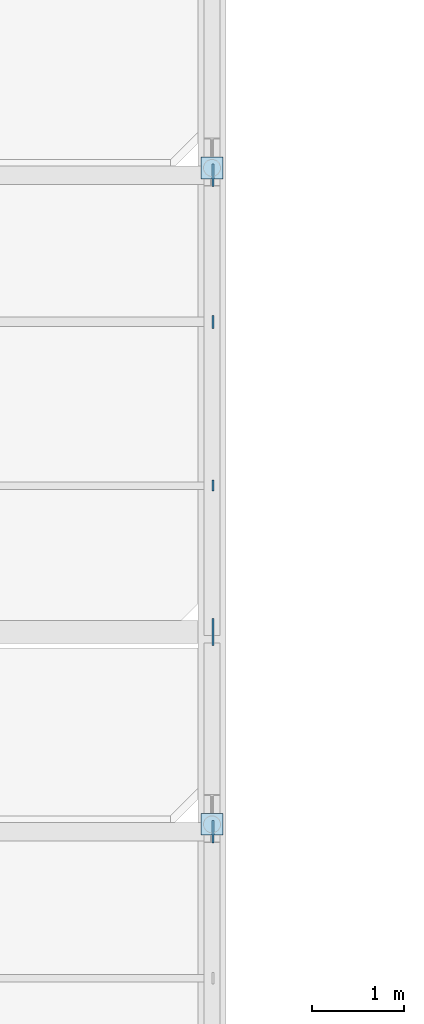
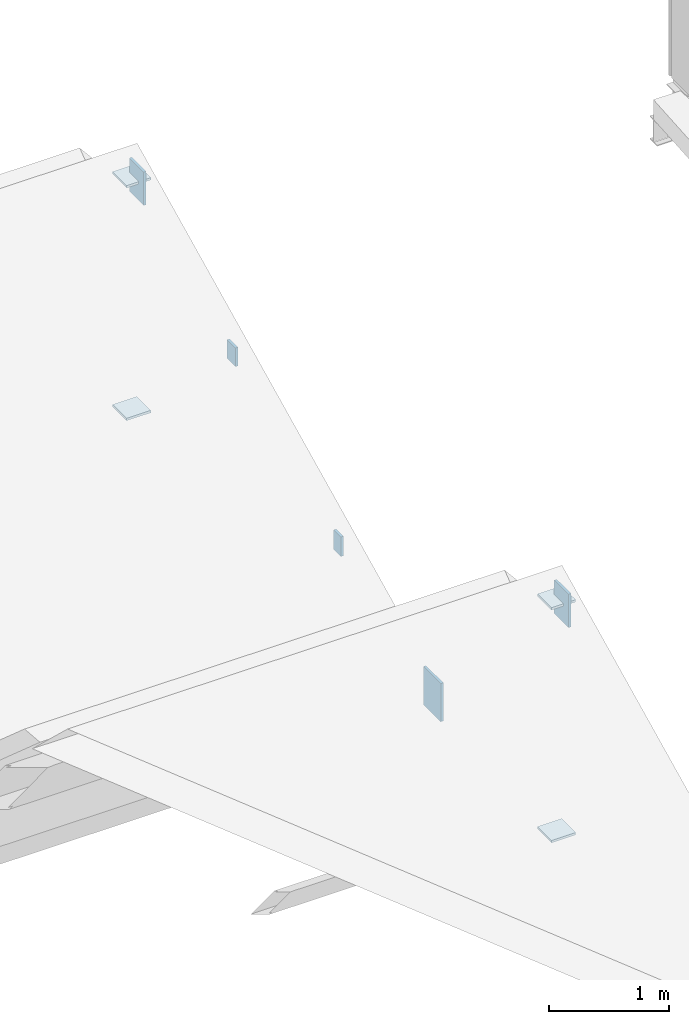
# One storey, part 112 of 138: 9 plates.
"""IFC4 building model written with IfcOpenShell, lengths in metres."""

from ifc_helpers import new_model, si_unit, direction, frame, origin, origin_2d, place, context, subcontext, project, spatial, rectangle, extrude, material, material_profile, profile_set, type_object, element, save


model = new_model("IFC4")

# Units and contexts
model_context = context("Model", 3, precision=1e-05, world=origin(), true_north=direction((0.0, 1.0)))
body_context = subcontext(model_context, "Body", "Model", "MODEL_VIEW")
ifc_project = project(units=[si_unit("LENGTHUNIT", "METRE"), si_unit("AREAUNIT", "SQUARE_METRE"), si_unit("VOLUMEUNIT", "CUBIC_METRE"), si_unit("PLANEANGLEUNIT", "RADIAN"), si_unit("MASSUNIT", "GRAM", prefix="KILO")], contexts=[model_context])

# Site, building, storey
site_placement = place(None, origin())
site = spatial("IfcSite", under=ifc_project, at=site_placement, CompositionType="ELEMENT")
building_placement = place(site_placement, origin())
building = spatial("IfcBuilding", under=site, at=building_placement, Name="Vinh Khe Railworks Police Headquarters", CompositionType="ELEMENT")
storey_placement = place(building_placement, frame((0.0, 0.0, 9.0)))
storey = spatial("IfcBuildingStorey", under=building, at=storey_placement, Name="L02", CompositionType="ELEMENT", Elevation=9.0)

# Plates
ifc_material = material(Name="Steel S355JR", Category="steel")
ifc_material_profile_1 = material_profile(ifc_material, rectangle(XDim=0.1201171875, YDim=0.199951171875, at=origin_2d()), Name="PL 120x200")
ifc_profile_set_1 = profile_set([ifc_material_profile_1], Name="Steel S355JR")
plate_type_1 = type_object("IfcPlateType", Name="Steel End-Cap Plate 120x200x24", PredefinedType="SHEET", material=ifc_profile_set_1)
plate_1_placement = place(storey_placement, frame((71.39990234375, 160.96435546875, 0.89794921875), z_axis=(1.0, 0.0, 0.0), x_axis=(0.0, 1.0, 0.0)))
element("IfcPlate", 1, at=plate_1_placement, inside=storey, type_object=plate_type_1, Name="End-Cap Gusset Plate PLT-EP-0684", PredefinedType="SHEET", context=body_context, shape_type="SweptSolid", body=[
    extrude(rectangle(XDim=0.1201171875, YDim=0.199951171875, at=origin_2d()), origin(), (0.0, 0.0, 1.0), 0.024169921875),
])
ifc_material_profile_2 = material_profile(ifc_material, rectangle(XDim=0.139892578125, YDim=0.18994140625, at=origin_2d()), Name="PL 140x190")
ifc_profile_set_2 = profile_set([ifc_material_profile_2], Name="Steel S355JR")
plate_type_2 = type_object("IfcPlateType", Name="Steel End-Cap Plate 140x190x24", PredefinedType="SHEET", material=ifc_profile_set_2)
plate_2_placement = place(storey_placement, frame((71.39990234375, 162.735595703125, 1.761962890625), z_axis=(1.0, 0.0, 0.0), x_axis=(0.0, 1.0, 0.0)))
element("IfcPlate", 2, at=plate_2_placement, inside=storey, type_object=plate_type_2, Name="End-Cap Gusset Plate PLT-EP-0685", PredefinedType="SHEET", context=body_context, shape_type="SweptSolid", body=[
    extrude(rectangle(XDim=0.139892578125, YDim=0.18994140625, at=origin_2d()), origin(), (0.0, 0.0, 1.0), 0.024169921875),
])
ifc_material_profile_3 = material_profile(ifc_material, rectangle(XDim=0.23388671875, YDim=0.23388671875, at=origin_2d()), Name="PL 234x234")
ifc_profile_set_3 = profile_set([ifc_material_profile_3], Name="Steel S355JR")
plate_type_3 = type_object("IfcPlateType", Name="Steel End-Cap Plate 234x234x24", PredefinedType="SHEET", material=ifc_profile_set_3)
for number, where, z_axis, x_axis, name in (
    (3, (71.39990234375, 157.300048828125, 0.199951171875), (0.0, 0.0, -1.0), (1.0, 0.0, 0.0), "End-Cap Gusset Plate PLT-EP-0681"),
    (4, (71.39990234375, 157.300048828125, 2.550048828125), (0.0, 0.0, 1.0), (1.0, 0.0, 0.0), "End-Cap Gusset Plate PLT-EP-0682"),
    (5, (71.39990234375, 164.39990234375, 0.199951171875), (0.0, 0.0, -1.0), (1.0, 0.0, 0.0), "End-Cap Gusset Plate PLT-EP-0687"),
    (6, (71.39990234375, 164.39990234375, 2.550048828125), (0.0, 0.0, 1.0), (1.0, 0.0, 0.0), "End-Cap Gusset Plate PLT-EP-0688"),
):
    element("IfcPlate", number, at=place(storey_placement, frame(where, z_axis=z_axis, x_axis=x_axis)), inside=storey, type_object=plate_type_3, Name=name, PredefinedType="SHEET", context=body_context, shape_type="SweptSolid", body=[
        extrude(rectangle(XDim=0.23388671875, YDim=0.23388671875, at=origin_2d()), origin(), (0.0, 0.0, 1.0), 0.02392578125),
    ])
ifc_material_profile_4 = material_profile(ifc_material, rectangle(XDim=0.239990234375, YDim=0.340087890625, at=origin_2d()), Name="PL 240x340")
ifc_profile_set_4 = profile_set([ifc_material_profile_4], Name="Steel S355JR")
plate_type_4 = type_object("IfcPlateType", Name="Steel End-Cap Plate 240x340x24", PredefinedType="SHEET", material=ifc_profile_set_4)
for number, where, z_axis, x_axis, name in (
    (7, (71.39990234375, 157.219970703125, 2.550048828125), (1.0, 0.0, 0.0), (0.0, 1.0, 0.0), "End-Cap Gusset Plate PLT-EP-0680"),
    (8, (71.39990234375, 164.320068359375, 2.550048828125), (1.0, 0.0, 0.0), (0.0, 1.0, 0.0), "End-Cap Gusset Plate PLT-EP-0686"),
):
    element("IfcPlate", number, at=place(storey_placement, frame(where, z_axis=z_axis, x_axis=x_axis)), inside=storey, type_object=plate_type_4, Name=name, PredefinedType="SHEET", context=body_context, shape_type="SweptSolid", body=[
        extrude(rectangle(XDim=0.239990234375, YDim=0.340087890625, at=origin_2d()), origin(), (0.0, 0.0, 1.0), 0.024169921875),
    ])
ifc_material_profile_5 = material_profile(ifc_material, rectangle(XDim=0.2900390625, YDim=0.389892578125, at=origin_2d()), Name="PL 290x390")
ifc_profile_set_5 = profile_set([ifc_material_profile_5], Name="Steel S355JR")
plate_type_5 = type_object("IfcPlateType", Name="Steel End-Cap Plate 290x390x24", PredefinedType="SHEET", material=ifc_profile_set_5)
plate_3_placement = place(storey_placement, frame((71.39990234375, 159.3798828125, 0.320068359375), z_axis=(1.0, 0.0, 0.0), x_axis=(0.0, 1.0, 0.0)))
element("IfcPlate", 9, at=plate_3_placement, inside=storey, type_object=plate_type_5, Name="End-Cap Gusset Plate PLT-EP-0683", PredefinedType="SHEET", context=body_context, shape_type="SweptSolid", body=[
    extrude(rectangle(XDim=0.2900390625, YDim=0.389892578125, at=origin_2d()), origin(), (0.0, 0.0, 1.0), 0.024169921875),
])

save(model, "model.ifc")
